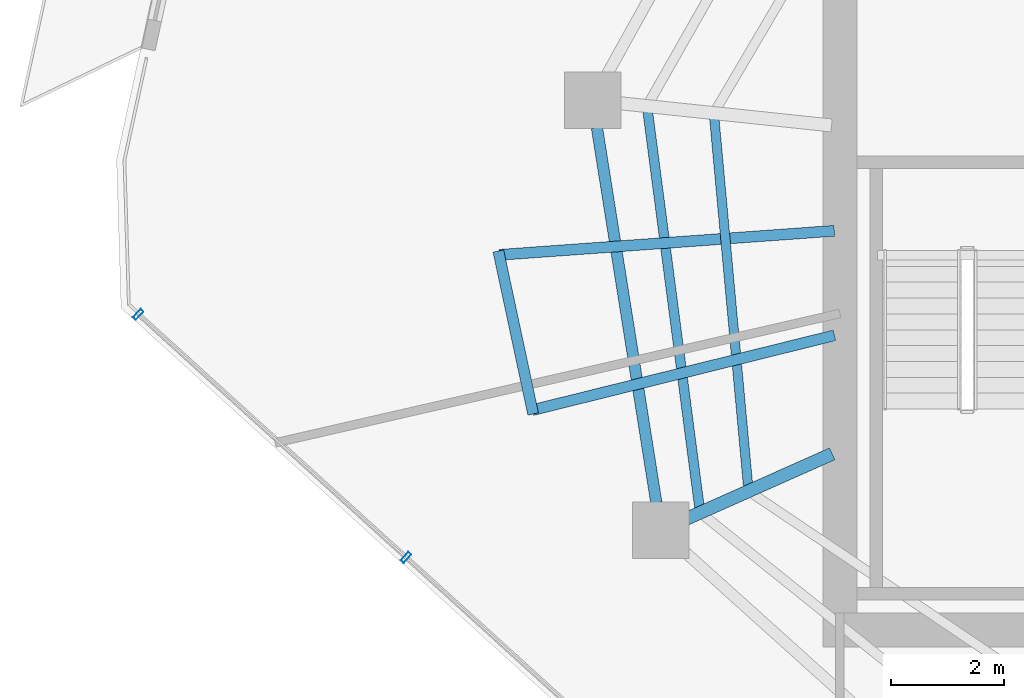
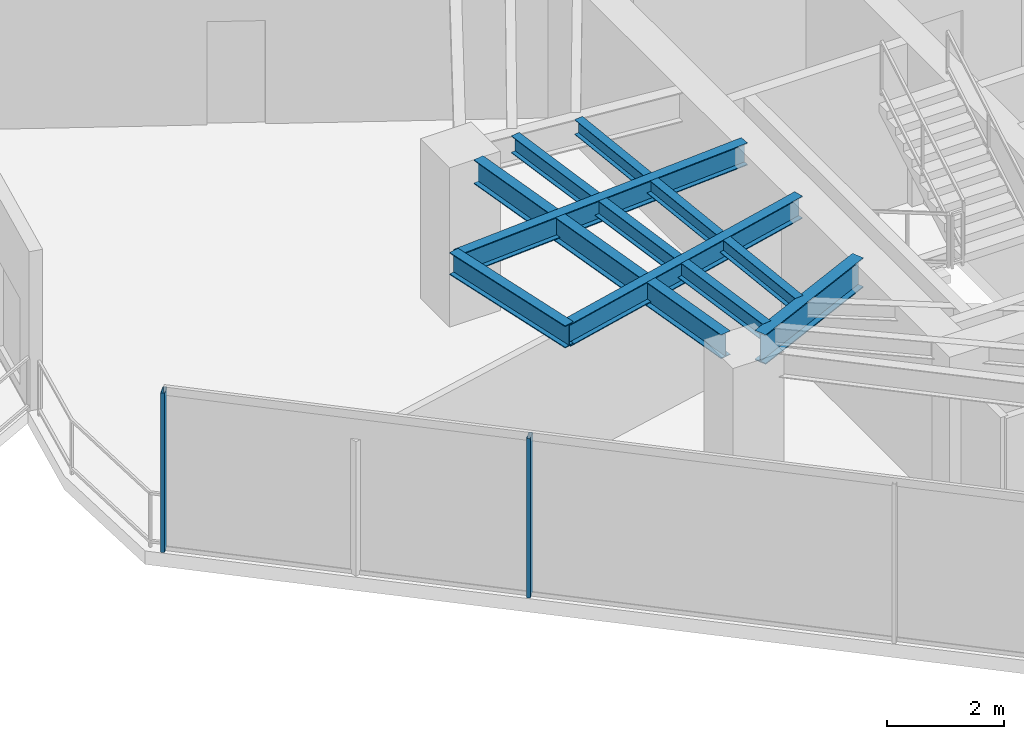
# One storey, part 6 of 21: 7 beams, 2 members, 1 element without a shape of its own.
"""IFC4 building model written with IfcOpenShell, lengths in metres."""

import ifcopenshell
import ifcopenshell.guid

model = None  # the IFC model being written
_history = None  # IfcOwnerHistory: only IFC2X3 demands one
_inside = {}  # id of a spatial element -> (the spatial element, [elements in it])
_under = {}  # id of a project, library or spatial element -> (it, [spatial elements below it])
_declared = {}  # id of a project -> (the project, [libraries it declares])
_typed = {}  # id of a type object -> (the type object, [elements of that type])
_made_of = {}  # id of a material, layer set ... -> (it, [elements and type objects made of it])


def new_model(schema):
    """Start an empty IFC model of exactly this schema.

    Asked for "IFC4X3", IfcOpenShell would pick the latest addendum, in which some entities
    have other attributes; the version numbers below select the first issue.
    IFC2X3 requires an IfcOwnerHistory on every rooted entity: one is made here for all.
    """
    global model, _history
    if schema == "IFC4X3":
        model = ifcopenshell.file(schema_version=(4, 3, 0, 0))
    else:
        model = ifcopenshell.file(schema=schema)
    _inside.clear()
    _under.clear()
    _declared.clear()
    _typed.clear()
    _made_of.clear()
    _history = None
    if model.schema == "IFC2X3":
        org = make("IfcOrganization", Name="unknown")
        user = make(
            "IfcPersonAndOrganization",
            ThePerson=make("IfcPerson", FamilyName="unknown"),
            TheOrganization=org,
        )
        app = make(
            "IfcApplication",
            ApplicationDeveloper=org,
            Version="unknown",
            ApplicationFullName="unknown",
            ApplicationIdentifier="unknown",
        )
        _history = make(
            "IfcOwnerHistory",
            OwningUser=user,
            OwningApplication=app,
            ChangeAction="ADDED",
            CreationDate=0,
        )
    return model


def make(cls, **values):
    """One entity of the class cls with the attributes given. An attribute that is None is left unset."""
    return model.create_entity(
        cls, **{name: value for name, value in values.items() if value is not None}
    )


def rooted(cls, **values):
    """An entity with a GlobalId (a new one), such as an element, a storey or a relation."""
    return make(cls, GlobalId=ifcopenshell.guid.new(), OwnerHistory=_history, **values)


def si_unit(unit_type, name, prefix=None):
    """IfcSIUnit, for example si_unit("LENGTHUNIT", "METRE", prefix="MILLI")."""
    return make("IfcSIUnit", UnitType=unit_type, Prefix=prefix, Name=name)


def assignment(units):
    """IfcUnitAssignment: the units of a project."""
    return None if units is None else make("IfcUnitAssignment", Units=units)


def point(xyz):
    """IfcCartesianPoint."""
    return None if xyz is None else make("IfcCartesianPoint", Coordinates=xyz)


def direction(xyz):
    """IfcDirection."""
    return None if xyz is None else make("IfcDirection", DirectionRatios=xyz)


def frame(location, z_axis=None, x_axis=None):
    """IfcAxis2Placement3D, a coordinate frame: its origin and axes. An axis left out is left unset."""
    return make(
        "IfcAxis2Placement3D",
        Location=point(location),
        Axis=direction(z_axis),
        RefDirection=direction(x_axis),
    )


def frame_2d(location, x_axis=None):
    """IfcAxis2Placement2D, a coordinate frame in the plane: its origin and x axis."""
    return make(
        "IfcAxis2Placement2D", Location=point(location), RefDirection=direction(x_axis)
    )


def origin():
    """The frame at (0, 0, 0) with its axes left unset."""
    return frame((0.0, 0.0, 0.0))


def origin_2d():
    """The frame at (0, 0) in the plane with its x axis left unset."""
    return frame_2d((0.0, 0.0))


def place(relative_to, where):
    """IfcLocalPlacement: puts the frame where relative to a parent placement (None: the world)."""
    return make(
        "IfcLocalPlacement", PlacementRelTo=relative_to, RelativePlacement=where
    )


def context(
    kind, dimensions, precision=None, world=None, true_north=None, identifier=None
):
    """IfcGeometricRepresentationContext, for example the 3D "Model" context."""
    return make(
        "IfcGeometricRepresentationContext",
        ContextIdentifier=identifier,
        ContextType=kind,
        CoordinateSpaceDimension=dimensions,
        Precision=precision,
        WorldCoordinateSystem=world,
        TrueNorth=true_north,
    )


def subcontext(parent, identifier, kind, view, scale=None):
    """IfcGeometricRepresentationSubContext, for example "Body" below "Model"."""
    return make(
        "IfcGeometricRepresentationSubContext",
        ContextIdentifier=identifier,
        ContextType=kind,
        ParentContext=parent,
        TargetScale=scale,
        TargetView=view,
    )


def project(units=None, contexts=None):
    """IfcProject with its units and contexts."""
    return rooted(
        "IfcProject",
        Name="project",
        RepresentationContexts=contexts,
        UnitsInContext=assignment(units),
    )


def spatial(cls, under=None, at=None, **own):
    """A site, building, storey or space (cls), placed at a placement, below another one or the project."""
    s = rooted(cls, ObjectPlacement=at, **own)
    if under is not None:
        _under.setdefault(under.id(), (under, []))[1].append(s)
    return s


def profile(cls, at=None, kind="AREA", **sizes):
    """A parametric profile (cls). Its sizes go by their IFC names, for example OverallWidth=200.0."""
    return make(cls, ProfileType=kind, Position=at, **sizes)


def hollow_rectangle(**sizes):
    """IfcRectangleHollowProfileDef."""
    return profile("IfcRectangleHollowProfileDef", **sizes)


def i_section(**sizes):
    """IfcIShapeProfileDef."""
    return profile("IfcIShapeProfileDef", **sizes)


def extrude(swept, where, along, depth):
    """IfcExtrudedAreaSolid: the profile swept, set in the frame where, extruded along a direction by depth."""
    return make(
        "IfcExtrudedAreaSolid",
        SweptArea=swept,
        Position=where,
        ExtrudedDirection=direction(along),
        Depth=depth,
    )


def shape(context_of_items, identifier, shape_type, items):
    """IfcShapeRepresentation: the items that make up one representation, for example the "Body"."""
    return make(
        "IfcShapeRepresentation",
        ContextOfItems=context_of_items,
        RepresentationIdentifier=identifier,
        RepresentationType=shape_type,
        Items=items,
    )


def material(Name=None, Category=None):
    """IfcMaterial."""
    return make("IfcMaterial", Name=Name, Category=Category)


def layer(
    of_material, thickness, ventilated=None, Name=None, Category=None, Priority=None
):
    """IfcMaterialLayer: one layer of a wall or slab, of a material (None: an air gap)."""
    return make(
        "IfcMaterialLayer",
        Material=of_material,
        LayerThickness=thickness,
        IsVentilated=ventilated,
        Name=Name,
        Category=Category,
        Priority=Priority,
    )


def layer_set(layers, Name=None):
    """IfcMaterialLayerSet."""
    return make("IfcMaterialLayerSet", MaterialLayers=layers, LayerSetName=Name)


def material_profile(
    of_material, cross_section, Name=None, Category=None, Priority=None
):
    """IfcMaterialProfile: a cross section and its material."""
    return make(
        "IfcMaterialProfile",
        Name=Name,
        Material=of_material,
        Profile=cross_section,
        Priority=Priority,
        Category=Category,
    )


def profile_set(profiles, Name=None, composite=None):
    """IfcMaterialProfileSet."""
    return make(
        "IfcMaterialProfileSet",
        Name=Name,
        MaterialProfiles=profiles,
        CompositeProfile=composite,
    )


def made_of(thing, what):
    """Note that an element or type object is made of a material, layer set ...; save() writes the relation."""
    if what is not None:
        _made_of.setdefault(what.id(), (what, []))[1].append(thing)
    return thing


def type_object(cls, material=None, **own):
    """A type object (cls), such as IfcWallType, which elements share."""
    return made_of(rooted(cls, **own), material)


def element(
    cls,
    number,
    at=None,
    inside=None,
    cuts=None,
    type_object=None,
    material=None,
    context=None,
    identifier="Body",
    shape_type=None,
    held_by="IfcProductDefinitionShape",
    body=None,
    shapes=None,
    **own,
):
    """One element of the class cls, such as IfcWall. Its Tag is "e" and its number.

    at: its placement. inside: the storey or other place that contains it. cuts: it is an
    opening in that element (IfcRelVoidsElement). A single representation is given by context,
    identifier, shape_type and body (its items); several are given by shapes. held_by: the class
    of the entity that holds the representations. save() writes the other relations.
    """
    e = rooted(cls, Tag="e%d" % number, ObjectPlacement=at, **own)
    if body is not None:
        shapes = [shape(context, identifier, shape_type, body)]
    if shapes is not None:
        e.Representation = make(held_by, Representations=shapes)
    if inside is not None:
        _inside.setdefault(inside.id(), (inside, []))[1].append(e)
    if cuts is not None:
        rooted(
            "IfcRelVoidsElement", RelatingBuildingElement=cuts, RelatedOpeningElement=e
        )
    if type_object is not None:
        _typed.setdefault(type_object.id(), (type_object, []))[1].append(e)
    return made_of(e, material)


def aggregate(whole, parts):
    """IfcRelAggregates: a whole, such as a stair, and the parts it consists of."""
    return rooted("IfcRelAggregates", RelatingObject=whole, RelatedObjects=parts)


def save(model, path):
    """Write the relations noted so far, then the file.

    IfcRelAggregates (storeys below a building ...), IfcRelContainedInSpatialStructure (elements
    in a storey), IfcRelDefinesByType, IfcRelAssociatesMaterial and IfcRelDeclares: one each for
    every whole, place, type object, material and project.
    """
    for whole, parts in _under.values():
        aggregate(whole, parts)
    for where, things in _inside.values():
        rooted(
            "IfcRelContainedInSpatialStructure",
            RelatedElements=things,
            RelatingStructure=where,
        )
    for kind, things in _typed.values():
        rooted("IfcRelDefinesByType", RelatedObjects=things, RelatingType=kind)
    for what, things in _made_of.values():
        rooted("IfcRelAssociatesMaterial", RelatedObjects=things, RelatingMaterial=what)
    for by, libraries in _declared.values():
        rooted("IfcRelDeclares", RelatingContext=by, RelatedDefinitions=libraries)
    model.write(path)


model = new_model("IFC4")

# Units and contexts
model_context = context("Model", 3, precision=1e-05, world=origin(), true_north=direction((0.0, 1.0)))
body_context = subcontext(model_context, "Body", "Model", "MODEL_VIEW")
ifc_project = project(units=[si_unit("LENGTHUNIT", "METRE"), si_unit("AREAUNIT", "SQUARE_METRE"), si_unit("VOLUMEUNIT", "CUBIC_METRE"), si_unit("PLANEANGLEUNIT", "RADIAN"), si_unit("MASSUNIT", "GRAM", prefix="KILO")], contexts=[model_context])

# Site, building, storey
site_placement = place(None, origin())
site = spatial("IfcSite", under=ifc_project, at=site_placement, CompositionType="ELEMENT")
building_placement = place(site_placement, origin())
building = spatial("IfcBuilding", under=site, at=building_placement, Name="Qarnah Convention Tower", CompositionType="ELEMENT")
storey_placement = place(building_placement, frame((0.0, 0.0, 132.89990234375)))
storey = spatial("IfcBuildingStorey", under=building, at=storey_placement, Name="L35", CompositionType="ELEMENT", Elevation=132.89990234375)

# Beams
ifc_material_1 = material(Name="Structural steel S355JR", Category="steel")
ifc_material_profile_1 = material_profile(ifc_material_1, i_section(OverallWidth=0.19189453125, OverallDepth=0.464111328125, WebThickness=0.010986328125, FlangeThickness=0.01806640625, at=origin_2d()), Name="W460X89")
ifc_profile_set_1 = profile_set([ifc_material_profile_1], Name="Structural steel S355JR")
beam_type_1 = type_object("IfcBeamType", Name="BM-CANT-W460A", PredefinedType="BEAM", material=ifc_profile_set_1)
beam_1_placement = place(storey_placement, frame((26.699951171875, 25.64794921875, 3.088134765625), z_axis=(-0.997431478283, -0.071627132639, 0.0), x_axis=(0.071627132639, -0.997431478283, 0.0)))
element("IfcBeam", 1, at=beam_1_placement, inside=storey, type_object=beam_type_1, Name="L35 beam BM-L35-CNT-02-1", PredefinedType="BEAM", context=body_context, shape_type="SweptSolid", body=[
    extrude(i_section(OverallWidth=0.19189453125, OverallDepth=0.464111328125, WebThickness=0.010986328125, FlangeThickness=0.01806640625, at=origin_2d()), origin(), (0.0, 0.0, 1.0), 5.93408203125),
])
beam_2_placement = place(storey_placement, frame((26.702880859375, 23.802001953125, 3.088134765625), z_axis=(-0.970704086067, -0.240278124872, 0.0), x_axis=(0.240278124872, -0.970704086067, 0.0)))
element("IfcBeam", 2, at=beam_2_placement, inside=storey, type_object=beam_type_1, Name="L35 beam BM-L35-CNT-02-2", PredefinedType="BEAM", context=body_context, shape_type="SweptSolid", body=[
    extrude(i_section(OverallWidth=0.19189453125, OverallDepth=0.464111328125, WebThickness=0.010986328125, FlangeThickness=0.01806640625, at=origin_2d()), origin(), (0.0, 0.0, 1.0), 5.498046875),
])
beam_3_placement = place(storey_placement, frame((20.76611328125, 25.291015625, 3.088134765625), z_axis=(0.208973836363, -0.977921231857, 0.0), x_axis=(0.977921231857, 0.208973836363, 0.0)))
element("IfcBeam", 3, at=beam_3_placement, inside=storey, type_object=beam_type_1, Name="L35 spandrel BM-L35-CTIE-02", PredefinedType="SPANDREL", context=body_context, shape_type="SweptSolid", body=[
    extrude(i_section(OverallWidth=0.19189453125, OverallDepth=0.464111328125, WebThickness=0.010986328125, FlangeThickness=0.01806640625, at=origin_2d()), origin(), (0.0, 0.0, 1.0), 2.94287109375),
])
ifc_material_profile_2 = material_profile(ifc_material_1, i_section(OverallWidth=0.166015625, OverallDepth=0.31201171875, WebThickness=0.007080078125, FlangeThickness=0.010986328125, at=origin_2d()), Name="W310X45")
ifc_profile_set_2 = profile_set([ifc_material_profile_2], Name="Structural steel S355JR")
beam_type_2 = type_object("IfcBeamType", Name="BM-JST-W310", PredefinedType="JOIST", material=ifc_profile_set_2)
beam_4_placement = place(storey_placement, frame((24.580078125, 27.636962890625, 3.1640625), z_axis=(0.091507562391, -0.995804381405, 0.0), x_axis=(0.995804381405, 0.091507562391, 0.0)))
element("IfcBeam", 4, at=beam_4_placement, inside=storey, type_object=beam_type_2, Name="L35 joist BM-L35-IJST-05", PredefinedType="JOIST", context=body_context, shape_type="SweptSolid", body=[
    extrude(i_section(OverallWidth=0.166015625, OverallDepth=0.31201171875, WebThickness=0.007080078125, FlangeThickness=0.010986328125, at=origin_2d()), origin(), (0.0, 0.0, 1.0), 6.523193359375),
])
ifc_material_profile_3 = material_profile(ifc_material_1, i_section(OverallWidth=0.172119140625, OverallDepth=0.35595703125, WebThickness=0.007080078125, FlangeThickness=0.011962890625, at=origin_2d()), Name="W360X51")
ifc_profile_set_3 = profile_set([ifc_material_profile_3], Name="Structural steel S355JR")
beam_type_3 = type_object("IfcBeamType", Name="BM-JST-W360", PredefinedType="JOIST", material=ifc_profile_set_3)
beam_5_placement = place(storey_placement, frame((23.404052734375, 27.761962890625, 3.14208984375), z_axis=(0.12956381361, -0.991571085804, 0.0), x_axis=(0.991571085804, 0.12956381361, 0.0)))
element("IfcBeam", 5, at=beam_5_placement, inside=storey, type_object=beam_type_3, Name="L35 joist BM-L35-SJST-05", PredefinedType="JOIST", context=body_context, shape_type="SweptSolid", body=[
    extrude(i_section(OverallWidth=0.172119140625, OverallDepth=0.35595703125, WebThickness=0.007080078125, FlangeThickness=0.011962890625, at=origin_2d()), origin(), (0.0, 0.0, 1.0), 7.0625),
])
ifc_material_profile_4 = material_profile(ifc_material_1, i_section(OverallWidth=0.22998046875, OverallDepth=0.617919921875, WebThickness=0.012939453125, FlangeThickness=0.02197265625, at=origin_2d()), Name="W610X140")
ifc_profile_set_4 = profile_set([ifc_material_profile_4], Name="Structural steel S355JR")
beam_type_4 = type_object("IfcBeamType", Name="BM-RAD-W610A", PredefinedType="BEAM", material=ifc_profile_set_4)
beam_6_placement = place(storey_placement, frame((26.6630859375, 21.708984375, 3.010986328125), z_axis=(-0.913488265638, -0.406865074123, 0.0), x_axis=(0.406865074123, -0.913488265638, 0.0)))
element("IfcBeam", 6, at=beam_6_placement, inside=storey, type_object=beam_type_4, Name="L35 beam BM-L35-RAD-06", PredefinedType="BEAM", context=body_context, shape_type="SweptSolid", body=[
    extrude(i_section(OverallWidth=0.22998046875, OverallDepth=0.617919921875, WebThickness=0.012939453125, FlangeThickness=0.02197265625, at=origin_2d()), origin(), (0.0, 0.0, 1.0), 2.83642578125),
])
ifc_material_profile_5 = material_profile(ifc_material_1, i_section(OverallWidth=0.199951171875, OverallDepth=0.5, WebThickness=0.010009765625, FlangeThickness=0.01611328125, at=origin_2d()), Name="IPE500")
ifc_profile_set_5 = profile_set([ifc_material_profile_5], Name="Structural steel S355JR")
beam_type_5 = type_object("IfcBeamType", Name="BM-SPN-IPE500", PredefinedType="SPANDREL", material=ifc_profile_set_5)
beam_7_placement = place(storey_placement, frame((22.508056640625, 27.468017578125, 3.070068359375), z_axis=(0.156388773261, -0.987695576379, 0.0), x_axis=(0.987695576379, 0.156388773261, 0.0)))
element("IfcBeam", 7, at=beam_7_placement, inside=storey, type_object=beam_type_5, Name="L35 spandrel BM-L35-SPN-05", PredefinedType="SPANDREL", context=body_context, shape_type="SweptSolid", body=[
    extrude(i_section(OverallWidth=0.199951171875, OverallDepth=0.5, WebThickness=0.010009765625, FlangeThickness=0.01611328125, at=origin_2d()), origin(), (0.0, 0.0, 1.0), 6.70654296875),
])

# Curtain wall, members
ifc_material_2 = material(Name="Tempered Low-E dark glass", Category="glass")
ifc_layer = layer(ifc_material_2, 0.172119140625)
ifc_layer_set = layer_set([ifc_layer], Name="Tempered Low-E dark glass")
curtain_wall_type = type_object("IfcCurtainWallType", Name="CWS-03", PredefinedType="NOTDEFINED", material=ifc_layer_set)
curtain_wall_placement = place(storey_placement, origin())
curtain_wall = element("IfcCurtainWall", 8, at=curtain_wall_placement, inside=storey, type_object=curtain_wall_type, Name="L35 unitised curtain wall CW-L35-F1", PredefinedType="NOTDEFINED")
ifc_material_3 = material(Name="Black anodised aluminium", Category="aluminium")
ifc_material_profile_6 = material_profile(ifc_material_3, hollow_rectangle(XDim=0.070068359375, YDim=0.199951171875, WallThickness=0.0048828125, at=origin_2d()), Name="MUL-70X200")
ifc_profile_set_6 = profile_set([ifc_material_profile_6], Name="Black anodised aluminium")
member_type = type_object("IfcMemberType", Name="MUL-T3", PredefinedType="MULLION", material=ifc_profile_set_6)
member_1_placement = place(storey_placement, frame((19.134033203125, 19.878173828125, 0.0), z_axis=(0.0, 0.0, 1.0), x_axis=(-0.740352220508, 0.672219152947, 0.0)))
member_1 = element("IfcMember", 9, at=member_1_placement, type_object=member_type, Name="CW-L35-F1 mullion 5", PredefinedType="MULLION", context=body_context, shape_type="SweptSolid", body=[
    extrude(hollow_rectangle(XDim=0.070068359375, YDim=0.199951171875, WallThickness=0.0048828125, at=origin_2d()), origin(), (0.0, 0.0, 1.0), 3.320068359375),
])
member_2_placement = place(storey_placement, frame((14.405029296875, 24.172119140625, 0.0), z_axis=(0.0, 0.0, 1.0), x_axis=(-0.740352220508, 0.672219152947, 0.0)))
member_2 = element("IfcMember", 10, at=member_2_placement, type_object=member_type, Name="CW-L35-F1 mullion 6", PredefinedType="MULLION", context=body_context, shape_type="SweptSolid", body=[
    extrude(hollow_rectangle(XDim=0.070068359375, YDim=0.199951171875, WallThickness=0.0048828125, at=origin_2d()), origin(), (0.0, 0.0, 1.0), 3.320068359375),
])
aggregate(curtain_wall, [member_1, member_2])

save(model, "model.ifc")
